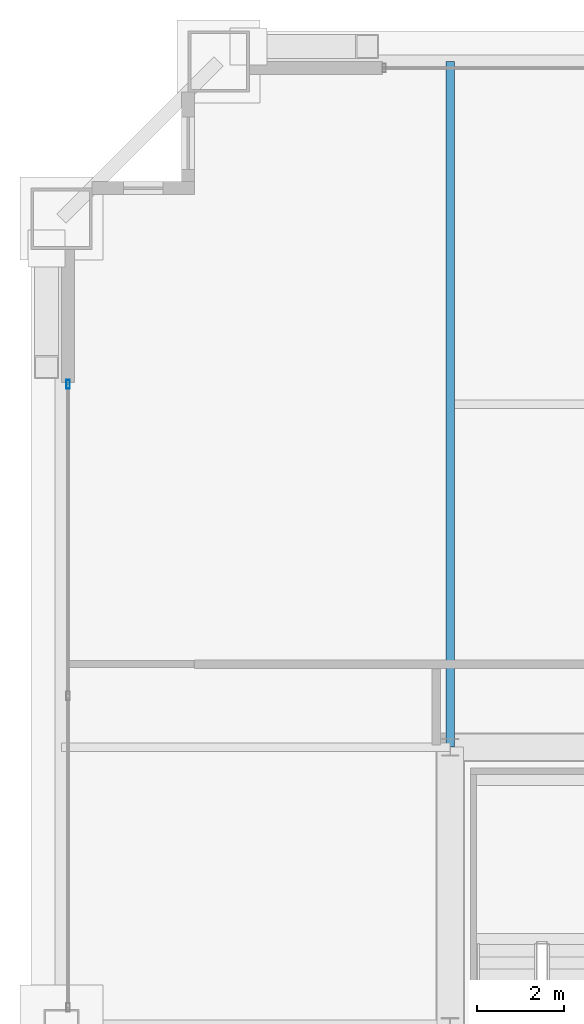
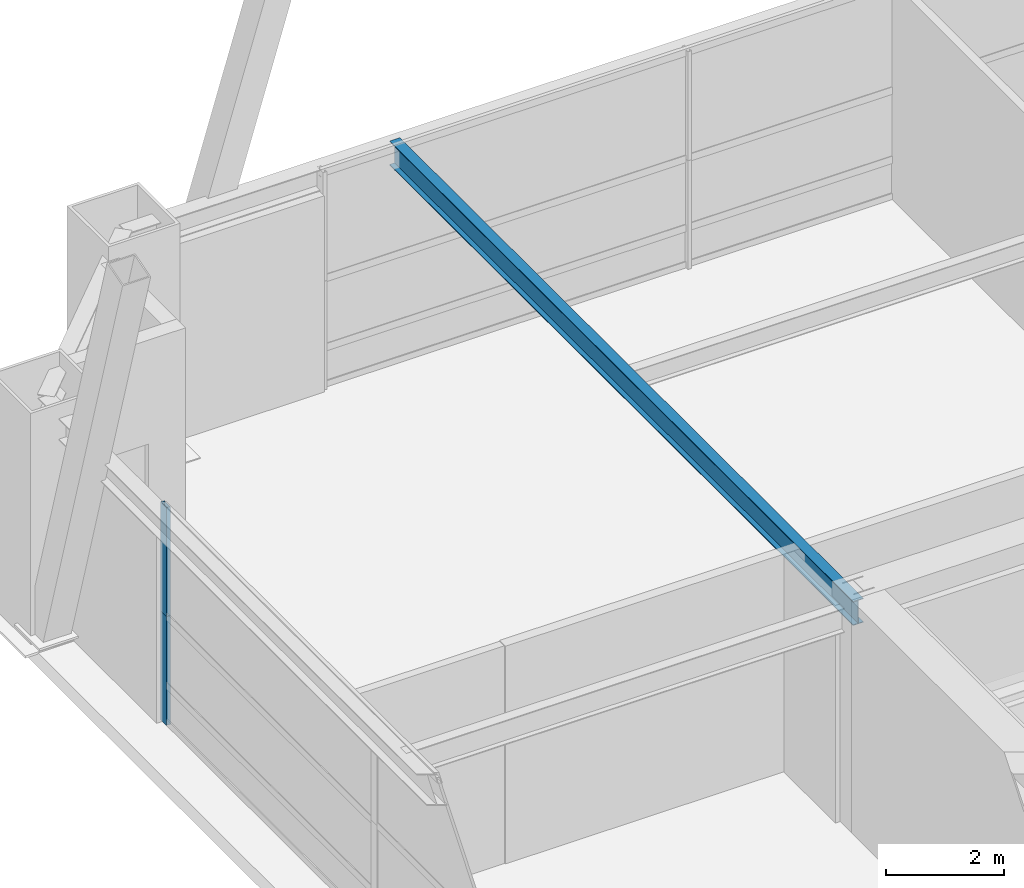
# One storey, part 20 of 34: 2 members, 1 beam, 1 element without a shape of its own.
"""IFC4 building model written with IfcOpenShell, lengths in metres."""

import ifcopenshell
import ifcopenshell.guid

model = None  # the IFC model being written
_history = None  # IfcOwnerHistory: only IFC2X3 demands one
_inside = {}  # id of a spatial element -> (the spatial element, [elements in it])
_under = {}  # id of a project, library or spatial element -> (it, [spatial elements below it])
_declared = {}  # id of a project -> (the project, [libraries it declares])
_typed = {}  # id of a type object -> (the type object, [elements of that type])
_made_of = {}  # id of a material, layer set ... -> (it, [elements and type objects made of it])


def new_model(schema):
    """Start an empty IFC model of exactly this schema.

    Asked for "IFC4X3", IfcOpenShell would pick the latest addendum, in which some entities
    have other attributes; the version numbers below select the first issue.
    IFC2X3 requires an IfcOwnerHistory on every rooted entity: one is made here for all.
    """
    global model, _history
    if schema == "IFC4X3":
        model = ifcopenshell.file(schema_version=(4, 3, 0, 0))
    else:
        model = ifcopenshell.file(schema=schema)
    _inside.clear()
    _under.clear()
    _declared.clear()
    _typed.clear()
    _made_of.clear()
    _history = None
    if model.schema == "IFC2X3":
        org = make("IfcOrganization", Name="unknown")
        user = make(
            "IfcPersonAndOrganization",
            ThePerson=make("IfcPerson", FamilyName="unknown"),
            TheOrganization=org,
        )
        app = make(
            "IfcApplication",
            ApplicationDeveloper=org,
            Version="unknown",
            ApplicationFullName="unknown",
            ApplicationIdentifier="unknown",
        )
        _history = make(
            "IfcOwnerHistory",
            OwningUser=user,
            OwningApplication=app,
            ChangeAction="ADDED",
            CreationDate=0,
        )
    return model


def make(cls, **values):
    """One entity of the class cls with the attributes given. An attribute that is None is left unset."""
    return model.create_entity(
        cls, **{name: value for name, value in values.items() if value is not None}
    )


def rooted(cls, **values):
    """An entity with a GlobalId (a new one), such as an element, a storey or a relation."""
    return make(cls, GlobalId=ifcopenshell.guid.new(), OwnerHistory=_history, **values)


def si_unit(unit_type, name, prefix=None):
    """IfcSIUnit, for example si_unit("LENGTHUNIT", "METRE", prefix="MILLI")."""
    return make("IfcSIUnit", UnitType=unit_type, Prefix=prefix, Name=name)


def assignment(units):
    """IfcUnitAssignment: the units of a project."""
    return None if units is None else make("IfcUnitAssignment", Units=units)


def point(xyz):
    """IfcCartesianPoint."""
    return None if xyz is None else make("IfcCartesianPoint", Coordinates=xyz)


def direction(xyz):
    """IfcDirection."""
    return None if xyz is None else make("IfcDirection", DirectionRatios=xyz)


def frame(location, z_axis=None, x_axis=None):
    """IfcAxis2Placement3D, a coordinate frame: its origin and axes. An axis left out is left unset."""
    return make(
        "IfcAxis2Placement3D",
        Location=point(location),
        Axis=direction(z_axis),
        RefDirection=direction(x_axis),
    )


def frame_2d(location, x_axis=None):
    """IfcAxis2Placement2D, a coordinate frame in the plane: its origin and x axis."""
    return make(
        "IfcAxis2Placement2D", Location=point(location), RefDirection=direction(x_axis)
    )


def origin():
    """The frame at (0, 0, 0) with its axes left unset."""
    return frame((0.0, 0.0, 0.0))


def origin_2d():
    """The frame at (0, 0) in the plane with its x axis left unset."""
    return frame_2d((0.0, 0.0))


def place(relative_to, where):
    """IfcLocalPlacement: puts the frame where relative to a parent placement (None: the world)."""
    return make(
        "IfcLocalPlacement", PlacementRelTo=relative_to, RelativePlacement=where
    )


def context(
    kind, dimensions, precision=None, world=None, true_north=None, identifier=None
):
    """IfcGeometricRepresentationContext, for example the 3D "Model" context."""
    return make(
        "IfcGeometricRepresentationContext",
        ContextIdentifier=identifier,
        ContextType=kind,
        CoordinateSpaceDimension=dimensions,
        Precision=precision,
        WorldCoordinateSystem=world,
        TrueNorth=true_north,
    )


def subcontext(parent, identifier, kind, view, scale=None):
    """IfcGeometricRepresentationSubContext, for example "Body" below "Model"."""
    return make(
        "IfcGeometricRepresentationSubContext",
        ContextIdentifier=identifier,
        ContextType=kind,
        ParentContext=parent,
        TargetScale=scale,
        TargetView=view,
    )


def project(units=None, contexts=None):
    """IfcProject with its units and contexts."""
    return rooted(
        "IfcProject",
        Name="project",
        RepresentationContexts=contexts,
        UnitsInContext=assignment(units),
    )


def spatial(cls, under=None, at=None, **own):
    """A site, building, storey or space (cls), placed at a placement, below another one or the project."""
    s = rooted(cls, ObjectPlacement=at, **own)
    if under is not None:
        _under.setdefault(under.id(), (under, []))[1].append(s)
    return s


def profile(cls, at=None, kind="AREA", **sizes):
    """A parametric profile (cls). Its sizes go by their IFC names, for example OverallWidth=200.0."""
    return make(cls, ProfileType=kind, Position=at, **sizes)


def hollow_rectangle(**sizes):
    """IfcRectangleHollowProfileDef."""
    return profile("IfcRectangleHollowProfileDef", **sizes)


def i_section(**sizes):
    """IfcIShapeProfileDef."""
    return profile("IfcIShapeProfileDef", **sizes)


def extrude(swept, where, along, depth):
    """IfcExtrudedAreaSolid: the profile swept, set in the frame where, extruded along a direction by depth."""
    return make(
        "IfcExtrudedAreaSolid",
        SweptArea=swept,
        Position=where,
        ExtrudedDirection=direction(along),
        Depth=depth,
    )


def shape(context_of_items, identifier, shape_type, items):
    """IfcShapeRepresentation: the items that make up one representation, for example the "Body"."""
    return make(
        "IfcShapeRepresentation",
        ContextOfItems=context_of_items,
        RepresentationIdentifier=identifier,
        RepresentationType=shape_type,
        Items=items,
    )


def source(mapping_origin, context_of_items, identifier, shape_type, items):
    """IfcRepresentationMap: a shape defined once, which mapped items show again and again."""
    return make(
        "IfcRepresentationMap",
        MappingOrigin=mapping_origin,
        MappedRepresentation=shape(context_of_items, identifier, shape_type, items),
    )


def transform(
    local_origin,
    x_axis=None,
    y_axis=None,
    z_axis=None,
    scale=None,
    scale2=None,
    scale3=None,
    uniform=True,
):
    """IfcCartesianTransformationOperator3D, or its non-uniform kind. x_axis, y_axis, z_axis: its Axis1, 2, 3."""
    if uniform:
        return make(
            "IfcCartesianTransformationOperator3D",
            Axis1=direction(x_axis),
            Axis2=direction(y_axis),
            LocalOrigin=point(local_origin),
            Scale=scale,
            Axis3=direction(z_axis),
        )
    return make(
        "IfcCartesianTransformationOperator3DnonUniform",
        Axis1=direction(x_axis),
        Axis2=direction(y_axis),
        LocalOrigin=point(local_origin),
        Scale=scale,
        Axis3=direction(z_axis),
        Scale2=scale2,
        Scale3=scale3,
    )


def mapped(mapping_source, mapping_target):
    """IfcMappedItem: shows the shape of a source again, moved by a transform."""
    return make(
        "IfcMappedItem", MappingSource=mapping_source, MappingTarget=mapping_target
    )


def material(Name=None, Category=None):
    """IfcMaterial."""
    return make("IfcMaterial", Name=Name, Category=Category)


def layer(
    of_material, thickness, ventilated=None, Name=None, Category=None, Priority=None
):
    """IfcMaterialLayer: one layer of a wall or slab, of a material (None: an air gap)."""
    return make(
        "IfcMaterialLayer",
        Material=of_material,
        LayerThickness=thickness,
        IsVentilated=ventilated,
        Name=Name,
        Category=Category,
        Priority=Priority,
    )


def layer_set(layers, Name=None):
    """IfcMaterialLayerSet."""
    return make("IfcMaterialLayerSet", MaterialLayers=layers, LayerSetName=Name)


def material_profile(
    of_material, cross_section, Name=None, Category=None, Priority=None
):
    """IfcMaterialProfile: a cross section and its material."""
    return make(
        "IfcMaterialProfile",
        Name=Name,
        Material=of_material,
        Profile=cross_section,
        Priority=Priority,
        Category=Category,
    )


def profile_set(profiles, Name=None, composite=None):
    """IfcMaterialProfileSet."""
    return make(
        "IfcMaterialProfileSet",
        Name=Name,
        MaterialProfiles=profiles,
        CompositeProfile=composite,
    )


def made_of(thing, what):
    """Note that an element or type object is made of a material, layer set ...; save() writes the relation."""
    if what is not None:
        _made_of.setdefault(what.id(), (what, []))[1].append(thing)
    return thing


def type_object(cls, material=None, **own):
    """A type object (cls), such as IfcWallType, which elements share."""
    return made_of(rooted(cls, **own), material)


def element(
    cls,
    number,
    at=None,
    inside=None,
    cuts=None,
    type_object=None,
    material=None,
    context=None,
    identifier="Body",
    shape_type=None,
    held_by="IfcProductDefinitionShape",
    body=None,
    shapes=None,
    **own,
):
    """One element of the class cls, such as IfcWall. Its Tag is "e" and its number.

    at: its placement. inside: the storey or other place that contains it. cuts: it is an
    opening in that element (IfcRelVoidsElement). A single representation is given by context,
    identifier, shape_type and body (its items); several are given by shapes. held_by: the class
    of the entity that holds the representations. save() writes the other relations.
    """
    e = rooted(cls, Tag="e%d" % number, ObjectPlacement=at, **own)
    if body is not None:
        shapes = [shape(context, identifier, shape_type, body)]
    if shapes is not None:
        e.Representation = make(held_by, Representations=shapes)
    if inside is not None:
        _inside.setdefault(inside.id(), (inside, []))[1].append(e)
    if cuts is not None:
        rooted(
            "IfcRelVoidsElement", RelatingBuildingElement=cuts, RelatedOpeningElement=e
        )
    if type_object is not None:
        _typed.setdefault(type_object.id(), (type_object, []))[1].append(e)
    return made_of(e, material)


def aggregate(whole, parts):
    """IfcRelAggregates: a whole, such as a stair, and the parts it consists of."""
    return rooted("IfcRelAggregates", RelatingObject=whole, RelatedObjects=parts)


def save(model, path):
    """Write the relations noted so far, then the file.

    IfcRelAggregates (storeys below a building ...), IfcRelContainedInSpatialStructure (elements
    in a storey), IfcRelDefinesByType, IfcRelAssociatesMaterial and IfcRelDeclares: one each for
    every whole, place, type object, material and project.
    """
    for whole, parts in _under.values():
        aggregate(whole, parts)
    for where, things in _inside.values():
        rooted(
            "IfcRelContainedInSpatialStructure",
            RelatedElements=things,
            RelatingStructure=where,
        )
    for kind, things in _typed.values():
        rooted("IfcRelDefinesByType", RelatedObjects=things, RelatingType=kind)
    for what, things in _made_of.values():
        rooted("IfcRelAssociatesMaterial", RelatedObjects=things, RelatingMaterial=what)
    for by, libraries in _declared.values():
        rooted("IfcRelDeclares", RelatingContext=by, RelatedDefinitions=libraries)
    model.write(path)


model = new_model("IFC4")

# Units and contexts
model_context = context("Model", 3, precision=1e-05, world=origin(), true_north=direction((0.0, 1.0)))
body_context = subcontext(model_context, "Body", "Model", "MODEL_VIEW")
ifc_project = project(units=[si_unit("LENGTHUNIT", "METRE"), si_unit("AREAUNIT", "SQUARE_METRE"), si_unit("VOLUMEUNIT", "CUBIC_METRE"), si_unit("PLANEANGLEUNIT", "RADIAN"), si_unit("MASSUNIT", "GRAM", prefix="KILO"), si_unit("THERMODYNAMICTEMPERATUREUNIT", "KELVIN"), si_unit("POWERUNIT", "WATT")], contexts=[model_context])

# Site, building, storey
site_placement = place(None, origin())
site = spatial("IfcSite", under=ifc_project, at=site_placement, CompositionType="ELEMENT")
building_placement = place(site_placement, origin())
building = spatial("IfcBuilding", under=site, at=building_placement, Name="Yuzanri Waterfront Tower", CompositionType="ELEMENT")
storey_placement = place(building_placement, frame((0.0, 0.0, 166.800048828125)))
storey = spatial("IfcBuildingStorey", under=building, at=storey_placement, Name="L44", CompositionType="ELEMENT", Elevation=166.800048828125)

# Beam
ifc_material_1 = material(Name="Steel Q355B", Category="steel")
ifc_material_profile_1 = material_profile(ifc_material_1, i_section(OverallWidth=0.199951171875, OverallDepth=0.5, WebThickness=0.010009765625, FlangeThickness=0.01611328125, at=origin_2d()), Name="HN 500x200x10x16")
ifc_profile_set_1 = profile_set([ifc_material_profile_1], Name="Steel Q355B")
beam_type = type_object("IfcBeamType", Name="Secondary Floor Beam Q355B HN 500x200", PredefinedType="BEAM", material=ifc_profile_set_1)
shared_shape_1 = source(origin(), body_context, "Body", "SweptSolid", [
    extrude(i_section(OverallWidth=0.199951171875, OverallDepth=0.5, WebThickness=0.010009765625, FlangeThickness=0.01611328125, at=origin_2d()), origin(), (0.0, 0.0, 1.0), 15.699951171875),
])
beam_placement = place(storey_placement, frame((23.800048828125, 32.199951171875, 4.25), z_axis=(0.0, 1.0, 0.0), x_axis=(-1.0, 0.0, 0.0)))
element("IfcBeam", 1, at=beam_placement, inside=storey, type_object=beam_type, Name="L44 North-West Core Line Beam", PredefinedType="BEAM", context=body_context, shape_type="MappedRepresentation", body=[
    mapped(shared_shape_1, transform((0.0, 0.0, 0.0), scale=1.0)),
])

# Curtain wall, members
ifc_material_2 = material(Name="Anodized Architectural Bronze", Category="metal")
ifc_layer = layer(ifc_material_2, 0.159912109375)
ifc_layer_set = layer_set([ifc_layer], Name="Anodized Architectural Bronze")
curtain_wall_type = type_object("IfcCurtainWallType", Name="Anodized Bronze Sky-Lobby Triple-Glazed Feature Curtain Wall 7500", PredefinedType="NOTDEFINED", material=ifc_layer_set)
curtain_wall_placement = place(storey_placement, origin())
curtain_wall = element("IfcCurtainWall", 2, at=curtain_wall_placement, inside=storey, type_object=curtain_wall_type, Name="L44 Curtain Wall CW-L44-WR", PredefinedType="NOTDEFINED")
ifc_material_3 = material(Name="Anodized Architectural Bronze", Category="metal")
ifc_material_profile_2 = material_profile(ifc_material_3, hollow_rectangle(XDim=0.074951171875, YDim=0.199951171875, WallThickness=0.00390625, at=origin_2d()), Name="CWM 75x200")
ifc_profile_set_2 = profile_set([ifc_material_profile_2], Name="Anodized Architectural Bronze")
member_type = type_object("IfcMemberType", Name="Anodized Bronze Primary Curtain-Wall Mullion 75x200", PredefinedType="MULLION", material=ifc_profile_set_2)
shared_shape_2 = source(origin(), body_context, "Body", "SweptSolid", [
    extrude(hollow_rectangle(XDim=0.074951171875, YDim=0.199951171875, WallThickness=0.00390625, at=origin_2d()), origin(), (0.0, 0.0, 1.0), 2.248046875),
])
member_1_placement = place(storey_placement, frame((15.050048828125, 40.510009765625, 0.0), z_axis=(0.0, 0.0, 1.0), x_axis=(1.0, 0.0, 0.0)))
member_1 = element("IfcMember", 3, at=member_1_placement, type_object=member_type, Name="CW-L44-WR Lower Mullion 02", PredefinedType="MULLION", context=body_context, shape_type="MappedRepresentation", body=[
    mapped(shared_shape_2, transform((0.0, 0.0, 0.0), scale=1.0)),
])
member_2_placement = place(storey_placement, frame((15.050048828125, 40.510009765625, 2.251953125), z_axis=(0.0, 0.0, 1.0), x_axis=(1.0, 0.0, 0.0)))
member_2 = element("IfcMember", 4, at=member_2_placement, type_object=member_type, Name="CW-L44-WR Upper Mullion 02", PredefinedType="MULLION", context=body_context, shape_type="MappedRepresentation", body=[
    mapped(shared_shape_2, transform((0.0, 0.0, 0.0), scale=1.0)),
])
aggregate(curtain_wall, [member_1, member_2])

save(model, "model.ifc")
